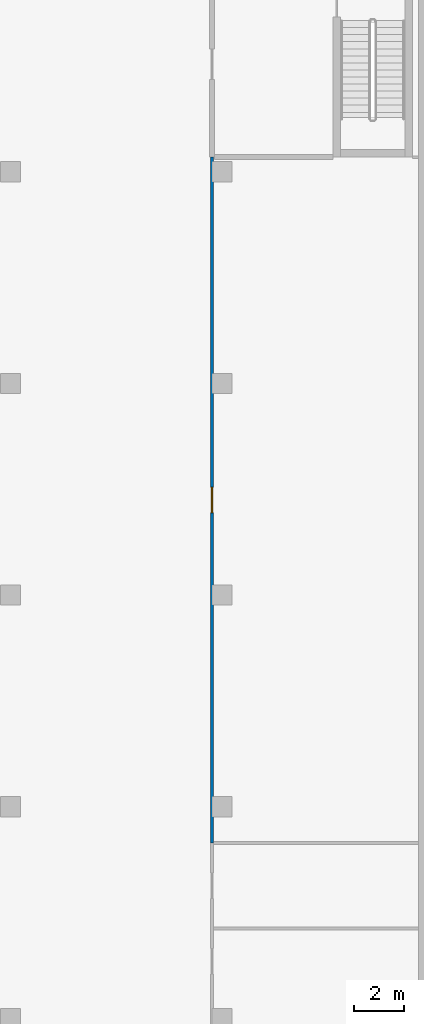
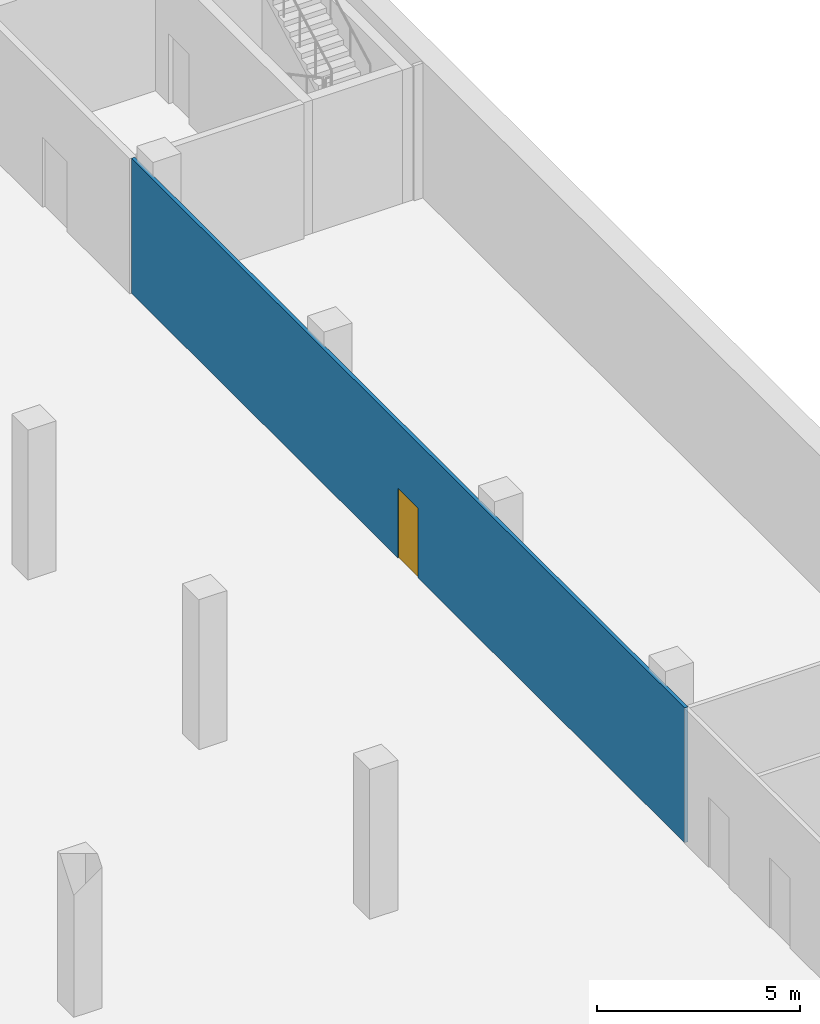
# One storey, part 8 of 21: 1 door, 1 wall, 1 opening.
"""IFC4 building model written with IfcOpenShell, lengths in metres."""

import ifcopenshell
import ifcopenshell.guid

model = None  # the IFC model being written
_history = None  # IfcOwnerHistory: only IFC2X3 demands one
_inside = {}  # id of a spatial element -> (the spatial element, [elements in it])
_under = {}  # id of a project, library or spatial element -> (it, [spatial elements below it])
_declared = {}  # id of a project -> (the project, [libraries it declares])
_typed = {}  # id of a type object -> (the type object, [elements of that type])
_made_of = {}  # id of a material, layer set ... -> (it, [elements and type objects made of it])


def new_model(schema):
    """Start an empty IFC model of exactly this schema.

    Asked for "IFC4X3", IfcOpenShell would pick the latest addendum, in which some entities
    have other attributes; the version numbers below select the first issue.
    IFC2X3 requires an IfcOwnerHistory on every rooted entity: one is made here for all.
    """
    global model, _history
    if schema == "IFC4X3":
        model = ifcopenshell.file(schema_version=(4, 3, 0, 0))
    else:
        model = ifcopenshell.file(schema=schema)
    _inside.clear()
    _under.clear()
    _declared.clear()
    _typed.clear()
    _made_of.clear()
    _history = None
    if model.schema == "IFC2X3":
        org = make("IfcOrganization", Name="unknown")
        user = make(
            "IfcPersonAndOrganization",
            ThePerson=make("IfcPerson", FamilyName="unknown"),
            TheOrganization=org,
        )
        app = make(
            "IfcApplication",
            ApplicationDeveloper=org,
            Version="unknown",
            ApplicationFullName="unknown",
            ApplicationIdentifier="unknown",
        )
        _history = make(
            "IfcOwnerHistory",
            OwningUser=user,
            OwningApplication=app,
            ChangeAction="ADDED",
            CreationDate=0,
        )
    return model


def make(cls, **values):
    """One entity of the class cls with the attributes given. An attribute that is None is left unset."""
    return model.create_entity(
        cls, **{name: value for name, value in values.items() if value is not None}
    )


def rooted(cls, **values):
    """An entity with a GlobalId (a new one), such as an element, a storey or a relation."""
    return make(cls, GlobalId=ifcopenshell.guid.new(), OwnerHistory=_history, **values)


def si_unit(unit_type, name, prefix=None):
    """IfcSIUnit, for example si_unit("LENGTHUNIT", "METRE", prefix="MILLI")."""
    return make("IfcSIUnit", UnitType=unit_type, Prefix=prefix, Name=name)


def assignment(units):
    """IfcUnitAssignment: the units of a project."""
    return None if units is None else make("IfcUnitAssignment", Units=units)


def point(xyz):
    """IfcCartesianPoint."""
    return None if xyz is None else make("IfcCartesianPoint", Coordinates=xyz)


def direction(xyz):
    """IfcDirection."""
    return None if xyz is None else make("IfcDirection", DirectionRatios=xyz)


def frame(location, z_axis=None, x_axis=None):
    """IfcAxis2Placement3D, a coordinate frame: its origin and axes. An axis left out is left unset."""
    return make(
        "IfcAxis2Placement3D",
        Location=point(location),
        Axis=direction(z_axis),
        RefDirection=direction(x_axis),
    )


def frame_2d(location, x_axis=None):
    """IfcAxis2Placement2D, a coordinate frame in the plane: its origin and x axis."""
    return make(
        "IfcAxis2Placement2D", Location=point(location), RefDirection=direction(x_axis)
    )


def origin():
    """The frame at (0, 0, 0) with its axes left unset."""
    return frame((0.0, 0.0, 0.0))


def place(relative_to, where):
    """IfcLocalPlacement: puts the frame where relative to a parent placement (None: the world)."""
    return make(
        "IfcLocalPlacement", PlacementRelTo=relative_to, RelativePlacement=where
    )


def context(
    kind, dimensions, precision=None, world=None, true_north=None, identifier=None
):
    """IfcGeometricRepresentationContext, for example the 3D "Model" context."""
    return make(
        "IfcGeometricRepresentationContext",
        ContextIdentifier=identifier,
        ContextType=kind,
        CoordinateSpaceDimension=dimensions,
        Precision=precision,
        WorldCoordinateSystem=world,
        TrueNorth=true_north,
    )


def subcontext(parent, identifier, kind, view, scale=None):
    """IfcGeometricRepresentationSubContext, for example "Body" below "Model"."""
    return make(
        "IfcGeometricRepresentationSubContext",
        ContextIdentifier=identifier,
        ContextType=kind,
        ParentContext=parent,
        TargetScale=scale,
        TargetView=view,
    )


def project(units=None, contexts=None):
    """IfcProject with its units and contexts."""
    return rooted(
        "IfcProject",
        Name="project",
        RepresentationContexts=contexts,
        UnitsInContext=assignment(units),
    )


def spatial(cls, under=None, at=None, **own):
    """A site, building, storey or space (cls), placed at a placement, below another one or the project."""
    s = rooted(cls, ObjectPlacement=at, **own)
    if under is not None:
        _under.setdefault(under.id(), (under, []))[1].append(s)
    return s


def profile(cls, at=None, kind="AREA", **sizes):
    """A parametric profile (cls). Its sizes go by their IFC names, for example OverallWidth=200.0."""
    return make(cls, ProfileType=kind, Position=at, **sizes)


def rectangle(**sizes):
    """IfcRectangleProfileDef."""
    return profile("IfcRectangleProfileDef", **sizes)


def extrude(swept, where, along, depth):
    """IfcExtrudedAreaSolid: the profile swept, set in the frame where, extruded along a direction by depth."""
    return make(
        "IfcExtrudedAreaSolid",
        SweptArea=swept,
        Position=where,
        ExtrudedDirection=direction(along),
        Depth=depth,
    )


def shape(context_of_items, identifier, shape_type, items):
    """IfcShapeRepresentation: the items that make up one representation, for example the "Body"."""
    return make(
        "IfcShapeRepresentation",
        ContextOfItems=context_of_items,
        RepresentationIdentifier=identifier,
        RepresentationType=shape_type,
        Items=items,
    )


def material(Name=None, Category=None):
    """IfcMaterial."""
    return make("IfcMaterial", Name=Name, Category=Category)


def layer(
    of_material, thickness, ventilated=None, Name=None, Category=None, Priority=None
):
    """IfcMaterialLayer: one layer of a wall or slab, of a material (None: an air gap)."""
    return make(
        "IfcMaterialLayer",
        Material=of_material,
        LayerThickness=thickness,
        IsVentilated=ventilated,
        Name=Name,
        Category=Category,
        Priority=Priority,
    )


def layer_set(layers, Name=None):
    """IfcMaterialLayerSet."""
    return make("IfcMaterialLayerSet", MaterialLayers=layers, LayerSetName=Name)


def made_of(thing, what):
    """Note that an element or type object is made of a material, layer set ...; save() writes the relation."""
    if what is not None:
        _made_of.setdefault(what.id(), (what, []))[1].append(thing)
    return thing


def type_object(cls, material=None, **own):
    """A type object (cls), such as IfcWallType, which elements share."""
    return made_of(rooted(cls, **own), material)


def element(
    cls,
    number,
    at=None,
    inside=None,
    cuts=None,
    type_object=None,
    material=None,
    context=None,
    identifier="Body",
    shape_type=None,
    held_by="IfcProductDefinitionShape",
    body=None,
    shapes=None,
    **own,
):
    """One element of the class cls, such as IfcWall. Its Tag is "e" and its number.

    at: its placement. inside: the storey or other place that contains it. cuts: it is an
    opening in that element (IfcRelVoidsElement). A single representation is given by context,
    identifier, shape_type and body (its items); several are given by shapes. held_by: the class
    of the entity that holds the representations. save() writes the other relations.
    """
    e = rooted(cls, Tag="e%d" % number, ObjectPlacement=at, **own)
    if body is not None:
        shapes = [shape(context, identifier, shape_type, body)]
    if shapes is not None:
        e.Representation = make(held_by, Representations=shapes)
    if inside is not None:
        _inside.setdefault(inside.id(), (inside, []))[1].append(e)
    if cuts is not None:
        rooted(
            "IfcRelVoidsElement", RelatingBuildingElement=cuts, RelatedOpeningElement=e
        )
    if type_object is not None:
        _typed.setdefault(type_object.id(), (type_object, []))[1].append(e)
    return made_of(e, material)


def fill(opening, filler):
    """IfcRelFillsElement: the door or window that sits in an opening."""
    return rooted(
        "IfcRelFillsElement",
        RelatingOpeningElement=opening,
        RelatedBuildingElement=filler,
    )


def aggregate(whole, parts):
    """IfcRelAggregates: a whole, such as a stair, and the parts it consists of."""
    return rooted("IfcRelAggregates", RelatingObject=whole, RelatedObjects=parts)


def save(model, path):
    """Write the relations noted so far, then the file.

    IfcRelAggregates (storeys below a building ...), IfcRelContainedInSpatialStructure (elements
    in a storey), IfcRelDefinesByType, IfcRelAssociatesMaterial and IfcRelDeclares: one each for
    every whole, place, type object, material and project.
    """
    for whole, parts in _under.values():
        aggregate(whole, parts)
    for where, things in _inside.values():
        rooted(
            "IfcRelContainedInSpatialStructure",
            RelatedElements=things,
            RelatingStructure=where,
        )
    for kind, things in _typed.values():
        rooted("IfcRelDefinesByType", RelatedObjects=things, RelatingType=kind)
    for what, things in _made_of.values():
        rooted("IfcRelAssociatesMaterial", RelatedObjects=things, RelatingMaterial=what)
    for by, libraries in _declared.values():
        rooted("IfcRelDeclares", RelatingContext=by, RelatedDefinitions=libraries)
    model.write(path)


model = new_model("IFC4")

# Units and contexts
model_context = context("Model", 3, precision=1e-05, world=origin(), true_north=direction((0.0, 1.0)))
body_context = subcontext(model_context, "Body", "Model", "MODEL_VIEW")
ifc_project = project(units=[si_unit("LENGTHUNIT", "METRE"), si_unit("AREAUNIT", "SQUARE_METRE"), si_unit("VOLUMEUNIT", "CUBIC_METRE"), si_unit("PLANEANGLEUNIT", "RADIAN"), si_unit("MASSUNIT", "GRAM", prefix="KILO")], contexts=[model_context])

# Site, building, storey
site_placement = place(None, origin())
site = spatial("IfcSite", under=ifc_project, at=site_placement, CompositionType="ELEMENT")
building_placement = place(site_placement, origin())
building = spatial("IfcBuilding", under=site, at=building_placement, Name="Trine Commons Tower", CompositionType="ELEMENT")
storey_placement = place(building_placement, frame((0.0, 0.0, -4.5)))
storey = spatial("IfcBuildingStorey", under=building, at=storey_placement, Name="B1", CompositionType="ELEMENT", Elevation=-4.5)

# Wall, opening, door
ifc_material_1 = material(Name="Plasterboard on steel stud", Category="steel")
ifc_layer = layer(ifc_material_1, 0.10009765625)
ifc_layer_set = layer_set([ifc_layer], Name="Plasterboard on steel stud")
wall_type = type_object("IfcWallType", Name="Partition wall 100 mm stud, not rated", PredefinedType="PARTITIONING", material=ifc_layer_set)
wall_placement = place(storey_placement, frame((130.0, 69.4697265625, 0.0), z_axis=(0.0, 0.0, 1.0), x_axis=(0.0, 1.0, 0.0)))
wall = element("IfcWall", 1, at=wall_placement, inside=storey, type_object=wall_type, Name="Partition B1030", PredefinedType="PARTITIONING", context=body_context, shape_type="SweptSolid", body=[
    extrude(rectangle(XDim=27.21044921875, YDim=0.10009765625, at=frame_2d((13.605224609375, 0.0))), origin(), (0.0, 0.0, 1.0), 4.050048828125),
])
opening_placement = place(wall_placement, frame((13.105224609375, 0.0, 0.0)))
opening = element("IfcOpeningElement", 2, at=opening_placement, cuts=wall, Name="Opening D-B115", PredefinedType="OPENING", context=body_context, shape_type="SweptSolid", body=[
    extrude(rectangle(XDim=1.0, YDim=2.10009765625, at=frame_2d((0.5, 1.050048828125))), frame((0.0, 0.06005859375, 0.0), z_axis=(0.0, -1.0, 0.0), x_axis=(1.0, 0.0, 0.0)), (0.0, 0.0, 1.0), 0.1201171875),
])
ifc_material_2 = material(Name="Painted timber", Category="wood")
door_type = type_object("IfcDoorType", Name="Single swing door 1000x2100, not rated", OperationType="SINGLE_SWING_LEFT", PredefinedType="DOOR", material=ifc_material_2)
door_placement = place(opening_placement, origin())
door = element("IfcDoor", 3, at=door_placement, inside=storey, type_object=door_type, Name="Door D-B115", OperationType="SINGLE_SWING_LEFT", OverallHeight=2.10009765625, OverallWidth=1.0, PredefinedType="DOOR", context=body_context, shape_type="SweptSolid", body=[
    extrude(rectangle(XDim=1.0, YDim=2.10009765625, at=frame_2d((0.5, 1.050048828125))), frame((0.0, 0.02490234375, 0.0), z_axis=(0.0, -1.0, 0.0), x_axis=(1.0, 0.0, 0.0)), (0.0, 0.0, 1.0), 0.050048828125),
])
fill(opening, door)

save(model, "model.ifc")
